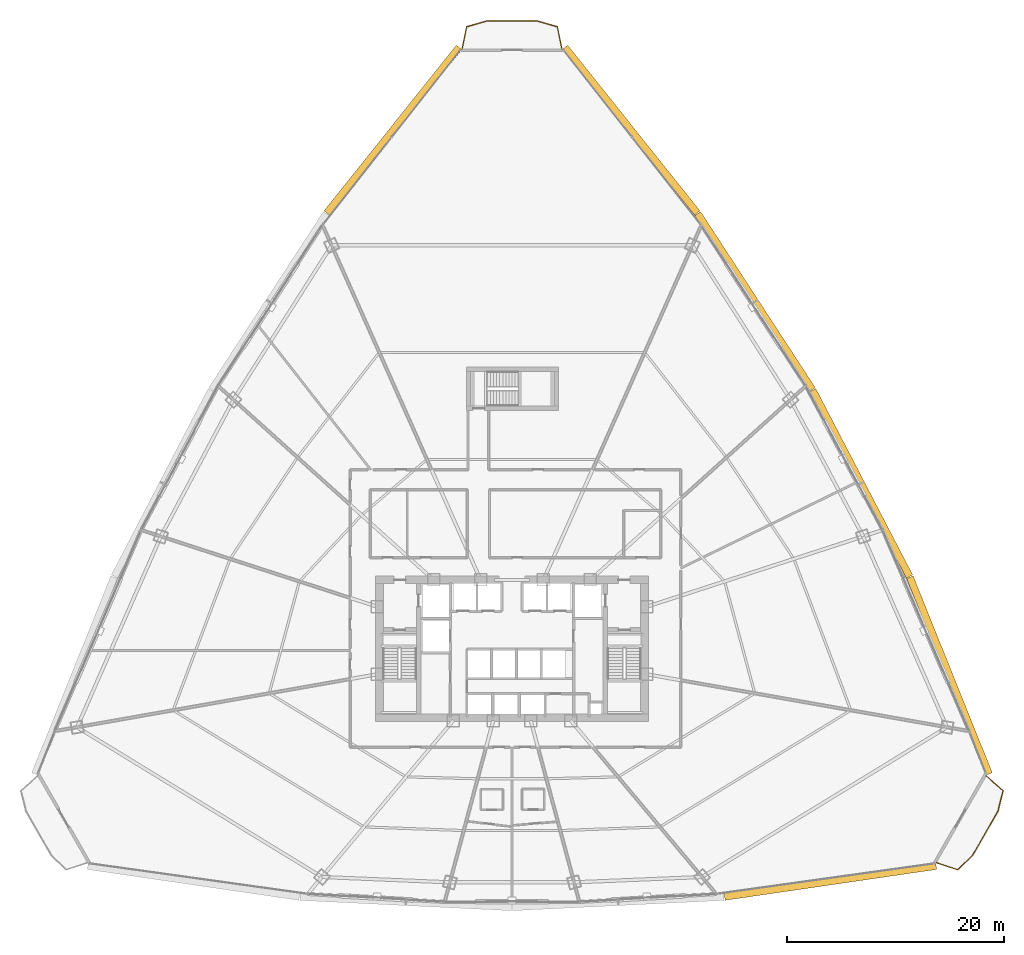
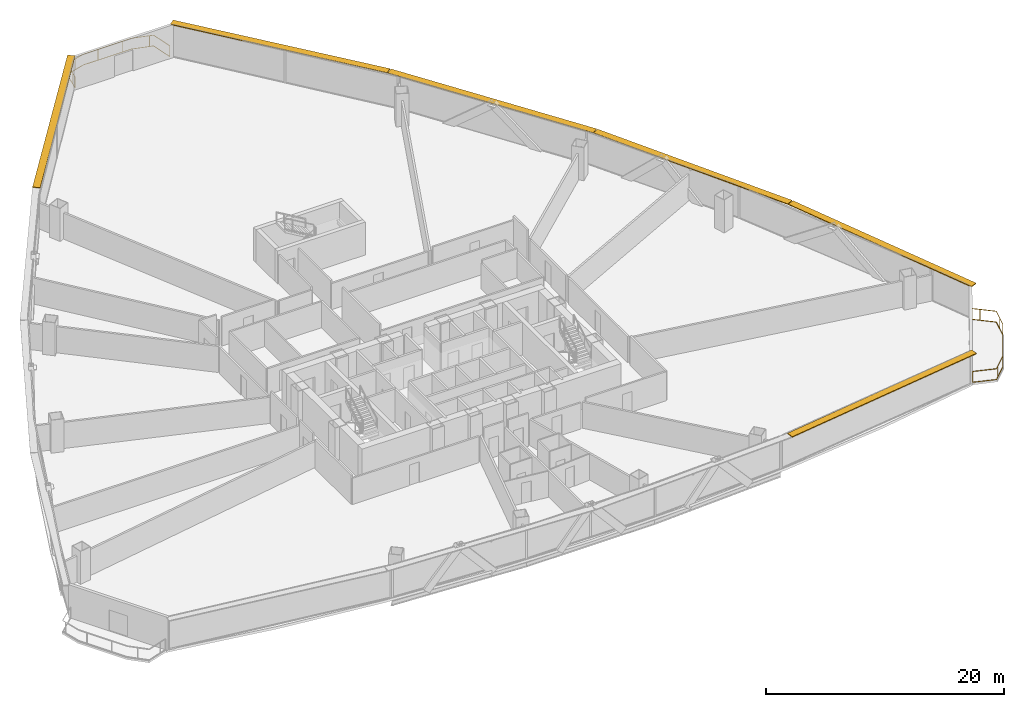
# One storey, part 38 of 38: 6 shading devices, 2 railings.
"""IFC4 building model written with IfcOpenShell, lengths in metres."""

from ifc_helpers import new_model, si_unit, direction, frame, origin, origin_2d, place, context, subcontext, project, spatial, rectangle, extrude, source, transform, mapped, material, layer, layer_set, type_object, element, save


model = new_model("IFC4")

# Units and contexts
model_context = context("Model", 3, precision=1e-05, world=origin(), true_north=direction((0.0, 1.0)))
body_context = subcontext(model_context, "Body", "Model", "MODEL_VIEW")
ifc_project = project(units=[si_unit("LENGTHUNIT", "METRE"), si_unit("AREAUNIT", "SQUARE_METRE"), si_unit("VOLUMEUNIT", "CUBIC_METRE"), si_unit("PLANEANGLEUNIT", "RADIAN"), si_unit("MASSUNIT", "GRAM", prefix="KILO"), si_unit("THERMODYNAMICTEMPERATUREUNIT", "KELVIN"), si_unit("POWERUNIT", "WATT")], contexts=[model_context])

# Site, building, storey
site_placement = place(None, origin())
site = spatial("IfcSite", under=ifc_project, at=site_placement, CompositionType="ELEMENT")
building_placement = place(site_placement, origin())
building = spatial("IfcBuilding", under=site, at=building_placement, Name="Yunzhuo Pagoda Commons", CompositionType="ELEMENT")
storey_placement = place(building_placement, frame((0.0, 0.0, 37.659912109375)))
storey = spatial("IfcBuildingStorey", under=building, at=storey_placement, Name="L09", CompositionType="ELEMENT", Elevation=37.659912109375)

# Railings
ifc_material = material(Name="Anodized aluminium 6063-T6", Category="aluminium")
railing_type = type_object("IfcRailingType", Name="RL-BAL1 Exterior Terrace & Balcony Balustrade 1150", PredefinedType="BALUSTRADE", material=ifc_material)
railing_1_placement = place(storey_placement, frame((87.0849609375, 14.16943359375, 0.0)))
element("IfcRailing", 1, at=railing_1_placement, inside=storey, type_object=railing_type, Name="L09 corner balcony balustrade V2", PredefinedType="BALUSTRADE", context=body_context, shape_type="SweptSolid", body=[
    extrude(rectangle(XDim=0.048095703125, YDim=0.048095703125, at=origin_2d()), frame((0.0, 0.0, 1.1259765625), z_axis=(0.947419062147, -0.319995501031, 0.0), x_axis=(0.319995501031, 0.947419062147, 0.0)), (0.0, 0.0, 1.0), 2.05908203125),
    extrude(rectangle(XDim=0.048095703125, YDim=0.048095703125, at=origin_2d()), frame((0.0, 0.0, 0.02392578125), z_axis=(0.947419062147, -0.319995501031, 0.0), x_axis=(0.319995501031, 0.947419062147, 0.0)), (0.0, 0.0, 1.0), 2.05908203125),
    extrude(rectangle(XDim=0.048095703125, YDim=0.048095703125, at=origin_2d()), frame((1.950927734375, -0.658935546875, 1.1259765625), z_axis=(0.716379924968, 0.697710400598, 0.0), x_axis=(-0.697710400598, 0.716379924968, 0.0)), (0.0, 0.0, 1.0), 1.935302734375),
    extrude(rectangle(XDim=0.048095703125, YDim=0.048095703125, at=origin_2d()), frame((1.950927734375, -0.658935546875, 0.02392578125), z_axis=(0.716379924968, 0.697710400598, 0.0), x_axis=(-0.697710400598, 0.716379924968, 0.0)), (0.0, 0.0, 1.0), 1.935302734375),
    extrude(rectangle(XDim=0.048095703125, YDim=0.048095703125, at=origin_2d()), frame((3.33740234375, 0.69140625, 1.1259765625), z_axis=(0.497917619796, 0.867224333086, 0.0), x_axis=(-0.867224333086, 0.497917619796, 0.0)), (0.0, 0.0, 1.0), 4.68310546875),
    extrude(rectangle(XDim=0.048095703125, YDim=0.048095703125, at=origin_2d()), frame((3.33740234375, 0.69140625, 0.02392578125), z_axis=(0.497917619796, 0.867224333086, 0.0), x_axis=(-0.867224333086, 0.497917619796, 0.0)), (0.0, 0.0, 1.0), 4.68310546875),
    extrude(rectangle(XDim=0.048095703125, YDim=0.048095703125, at=origin_2d()), frame((5.669189453125, 4.752685546875, 1.1259765625), z_axis=(0.241437285423, 0.970416424638, 0.0), x_axis=(-0.970416424638, 0.241437285423, 0.0)), (0.0, 0.0, 1.0), 1.935546875),
    extrude(rectangle(XDim=0.048095703125, YDim=0.048095703125, at=origin_2d()), frame((5.669189453125, 4.752685546875, 0.02392578125), z_axis=(0.241437285423, 0.970416424638, 0.0), x_axis=(-0.970416424638, 0.241437285423, 0.0)), (0.0, 0.0, 1.0), 1.935546875),
    extrude(rectangle(XDim=0.048095703125, YDim=0.048095703125, at=origin_2d()), frame((6.136474609375, 6.630859375, 1.1259765625), z_axis=(-0.753992555518, 0.656882962348, 0.0), x_axis=(-0.656882962348, -0.753992555518, 0.0)), (0.0, 0.0, 1.0), 2.05908203125),
    extrude(rectangle(XDim=0.048095703125, YDim=0.048095703125, at=origin_2d()), frame((6.136474609375, 6.630859375, 0.02392578125), z_axis=(-0.753992555518, 0.656882962348, 0.0), x_axis=(-0.656882962348, -0.753992555518, 0.0)), (0.0, 0.0, 1.0), 2.05908203125),
    extrude(rectangle(XDim=0.0419921875, YDim=0.0419921875, at=origin_2d()), origin(), (0.0, 0.0, 1.0), 1.101806640625),
    extrude(rectangle(XDim=0.0419921875, YDim=0.0419921875, at=origin_2d()), frame((2.195068359375, -0.421142578125, 0.0)), (0.0, 0.0, 1.0), 1.101806640625),
    extrude(rectangle(XDim=0.0419921875, YDim=0.0419921875, at=origin_2d()), frame((3.738525390625, 1.389892578125, 0.0)), (0.0, 0.0, 1.0), 1.101806640625),
    extrude(rectangle(XDim=0.0419921875, YDim=0.0419921875, at=origin_2d()), frame((4.933349609375, 3.47119140625, 0.0)), (0.0, 0.0, 1.0), 1.101806640625),
    extrude(rectangle(XDim=0.0419921875, YDim=0.0419921875, at=origin_2d()), frame((5.891845703125, 5.647705078125, 0.0)), (0.0, 0.0, 1.0), 1.101806640625),
    extrude(rectangle(XDim=0.0419921875, YDim=0.0419921875, at=origin_2d()), frame((5.0908203125, 7.5419921875, 0.0)), (0.0, 0.0, 1.0), 1.101806640625),
    extrude(rectangle(XDim=0.0419921875, YDim=0.0419921875, at=origin_2d()), frame((4.583984375, 7.9833984375, 0.0)), (0.0, 0.0, 1.0), 1.101806640625),
])
railing_2_placement = place(storey_placement, frame((52.58349609375, 89.11083984375, 0.0)))
element("IfcRailing", 2, at=railing_2_placement, inside=storey, type_object=railing_type, Name="L09 corner balcony balustrade V3", PredefinedType="BALUSTRADE", context=body_context, shape_type="SweptSolid", body=[
    extrude(rectangle(XDim=0.048095703125, YDim=0.048095703125, at=origin_2d()), frame((0.0, 0.0, 1.1259765625), z_axis=(-0.194200568098, 0.980961843983, 0.0), x_axis=(-0.980961843983, -0.194200568098, 0.0)), (0.0, 0.0, 1.0), 2.059326171875),
    extrude(rectangle(XDim=0.048095703125, YDim=0.048095703125, at=origin_2d()), frame((0.0, 0.0, 0.02392578125), z_axis=(-0.194200568098, 0.980961843983, 0.0), x_axis=(-0.980961843983, -0.194200568098, 0.0)), (0.0, 0.0, 1.0), 2.059326171875),
    extrude(rectangle(XDim=0.048095703125, YDim=0.048095703125, at=origin_2d()), frame((-0.39990234375, 2.02001953125, 1.1259765625), z_axis=(-0.961394700439, 0.275173090923, 0.0), x_axis=(-0.275173090923, -0.961394700439, 0.0)), (0.0, 0.0, 1.0), 1.92626953125),
    extrude(rectangle(XDim=0.048095703125, YDim=0.048095703125, at=origin_2d()), frame((-0.39990234375, 2.02001953125, 0.02392578125), z_axis=(-0.961394700439, 0.275173090923, 0.0), x_axis=(-0.275173090923, -0.961394700439, 0.0)), (0.0, 0.0, 1.0), 1.92626953125),
    extrude(rectangle(XDim=0.048095703125, YDim=0.048095703125, at=origin_2d()), frame((-2.251708984375, 2.550048828125, 1.1259765625), z_axis=(-1.0, 0.0, 0.0), x_axis=(0.0, -1.0, 0.0)), (0.0, 0.0, 1.0), 4.66357421875),
    extrude(rectangle(XDim=0.048095703125, YDim=0.048095703125, at=origin_2d()), frame((-2.251708984375, 2.550048828125, 0.02392578125), z_axis=(-1.0, 0.0, 0.0), x_axis=(0.0, -1.0, 0.0)), (0.0, 0.0, 1.0), 4.66357421875),
    extrude(rectangle(XDim=0.048095703125, YDim=0.048095703125, at=origin_2d()), frame((-6.915283203125, 2.550048828125, 1.1259765625), z_axis=(-0.961394700439, -0.275173090923, 0.0), x_axis=(0.275173090923, -0.961394700439, 0.0)), (0.0, 0.0, 1.0), 1.92626953125),
    extrude(rectangle(XDim=0.048095703125, YDim=0.048095703125, at=origin_2d()), frame((-6.915283203125, 2.550048828125, 0.02392578125), z_axis=(-0.961394700439, -0.275173090923, 0.0), x_axis=(0.275173090923, -0.961394700439, 0.0)), (0.0, 0.0, 1.0), 1.92626953125),
    extrude(rectangle(XDim=0.048095703125, YDim=0.048095703125, at=origin_2d()), frame((-8.76708984375, 2.02001953125, 1.1259765625), z_axis=(-0.194200568098, -0.980961843983, 0.0), x_axis=(0.980961843983, -0.194200568098, 0.0)), (0.0, 0.0, 1.0), 2.059326171875),
    extrude(rectangle(XDim=0.048095703125, YDim=0.048095703125, at=origin_2d()), frame((-8.76708984375, 2.02001953125, 0.02392578125), z_axis=(-0.194200568098, -0.980961843983, 0.0), x_axis=(0.980961843983, -0.194200568098, 0.0)), (0.0, 0.0, 1.0), 2.059326171875),
    extrude(rectangle(XDim=0.0419921875, YDim=0.0419921875, at=origin_2d()), origin(), (0.0, 0.0, 1.0), 1.101806640625),
    extrude(rectangle(XDim=0.0419921875, YDim=0.0419921875, at=origin_2d()), frame((-0.7275390625, 2.11376953125, 0.0)), (0.0, 0.0, 1.0), 1.101806640625),
    extrude(rectangle(XDim=0.0419921875, YDim=0.0419921875, at=origin_2d()), frame((-3.06640625, 2.550048828125, 0.0)), (0.0, 0.0, 1.0), 1.101806640625),
    extrude(rectangle(XDim=0.0419921875, YDim=0.0419921875, at=origin_2d()), frame((-5.46630859375, 2.550048828125, 0.0)), (0.0, 0.0, 1.0), 1.101806640625),
    extrude(rectangle(XDim=0.0419921875, YDim=0.0419921875, at=origin_2d()), frame((-7.82958984375, 2.288330078125, 0.0)), (0.0, 0.0, 1.0), 1.101806640625),
    extrude(rectangle(XDim=0.0419921875, YDim=0.0419921875, at=origin_2d()), frame((-9.043701171875, 0.622314453125, 0.0)), (0.0, 0.0, 1.0), 1.101806640625),
    extrude(rectangle(XDim=0.0419921875, YDim=0.0419921875, at=origin_2d()), frame((-9.1669921875, 0.0, 0.0)), (0.0, 0.0, 1.0), 1.101806640625),
])

# Shading devices
ifc_layer = layer(ifc_material, 0.080078125)
ifc_layer_set = layer_set([ifc_layer], Name="Anodized aluminium 6063-T6")
shading_device_type = type_object("IfcShadingDeviceType", Name="SH-SUN1 Pagoda Horizontal Sunshade Eave 650", PredefinedType="USERDEFINED", material=ifc_layer_set)
shared_shape_1 = source(origin(), body_context, "Body", "SweptSolid", [
    extrude(rectangle(XDim=19.689453125, YDim=0.64990234375, at=origin_2d()), origin(), (0.0, 0.0, 1.0), 0.080078125),
])
shading_device_placement = place(storey_placement, frame((77.318603515625, 12.4375, 3.2900390625), z_axis=(0.0, 0.0, 1.0), x_axis=(0.989510666697, 0.144459823108, 0.0)))
element("IfcShadingDevice", 3, at=shading_device_placement, inside=storey, type_object=shading_device_type, Name="L09 horizontal pagoda sunshade eave F1.4", ObjectType="SUNSHADE", PredefinedType="USERDEFINED", context=body_context, shape_type="MappedRepresentation", body=[
    mapped(shared_shape_1, transform((0.0, 0.0, 0.0), scale=1.0)),
])
shared_shape_2 = source(origin(), body_context, "Body", "SweptSolid", [
    extrude(rectangle(XDim=19.53125, YDim=0.64990234375, at=origin_2d()), origin(), (0.0, 0.0, 1.0), 0.080078125),
])
for number, where, z_axis, x_axis, name in (
    (4, (88.281494140625, 31.391357421875, 3.2900390625), (0.0, 0.0, 1.0), (-0.372987782576, 0.927836253899, 0.0), "L09 horizontal pagoda sunshade eave F2.1"),
    (5, (58.96240234375, 81.617919921875, 3.2900390625), (0.0, 0.0, 1.0), (-0.624520471688, 0.781008438138, 0.0), "L09 horizontal pagoda sunshade eave F2.4"),
    (6, (37.03759765625, 81.617919921875, 3.2900390625), (0.0, 0.0, 1.0), (-0.624520471688, -0.781008438138, 0.0), "L09 horizontal pagoda sunshade eave F3.1"),
):
    element("IfcShadingDevice", number, at=place(storey_placement, frame(where, z_axis=z_axis, x_axis=x_axis)), inside=storey, type_object=shading_device_type, Name=name, ObjectType="SUNSHADE", PredefinedType="USERDEFINED", context=body_context, shape_type="MappedRepresentation", body=[
        mapped(shared_shape_2, transform((0.0, 0.0, 0.0), scale=1.0)),
    ])
shared_shape_3 = source(origin(), body_context, "Body", "SweptSolid", [
    extrude(rectangle(XDim=19.345947265625, YDim=0.64990234375, at=origin_2d()), origin(), (0.0, 0.0, 1.0), 0.080078125),
])
for number, where, z_axis, x_axis, name in (
    (7, (80.1513671875, 49.09228515625, 3.2900390625), (0.0, 0.0, 1.0), (-0.461206683033, 0.88729273384, 0.0), "L09 horizontal pagoda sunshade eave F2.2"),
    (8, (70.378173828125, 65.834716796875, 3.2900390625), (0.0, 0.0, 1.0), (-0.545838756973, 0.837890238269, 0.0), "L09 horizontal pagoda sunshade eave F2.3"),
):
    element("IfcShadingDevice", number, at=place(storey_placement, frame(where, z_axis=z_axis, x_axis=x_axis)), inside=storey, type_object=shading_device_type, Name=name, ObjectType="SUNSHADE", PredefinedType="USERDEFINED", context=body_context, shape_type="MappedRepresentation", body=[
        mapped(shared_shape_3, transform((0.0, 0.0, 0.0), scale=1.0)),
    ])

save(model, "model.ifc")
